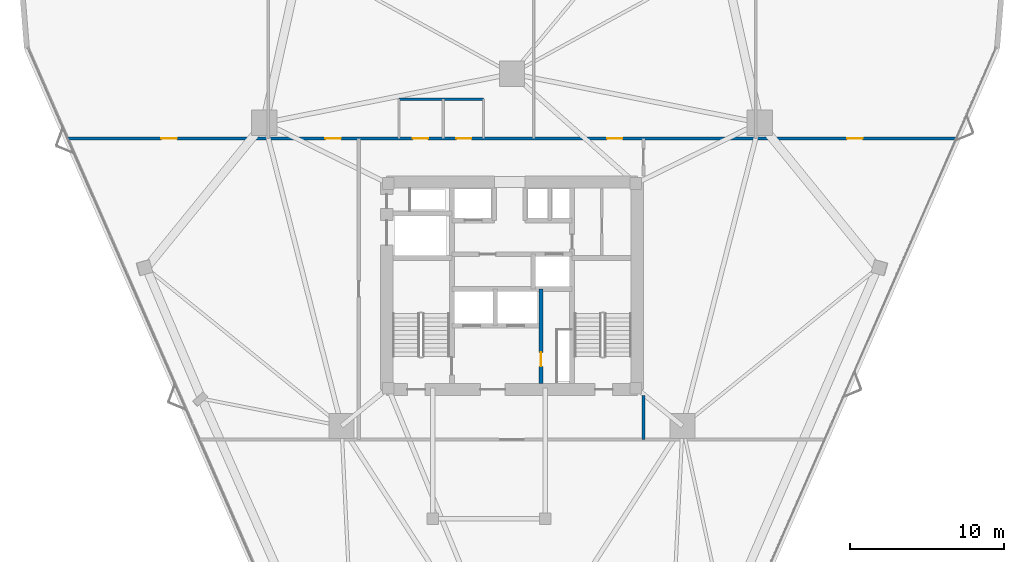
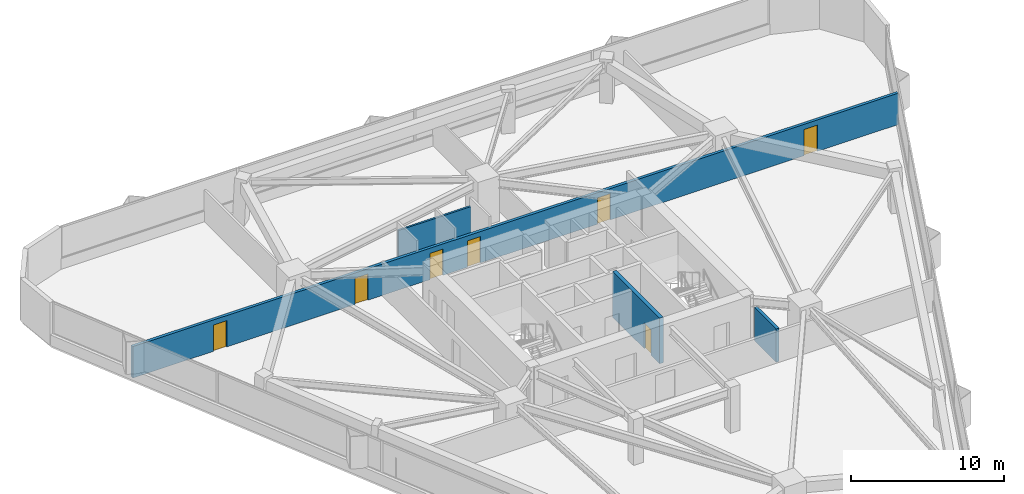
# One storey, part 16 of 19: 7 doors, 4 walls, 7 openings.
"""IFC4 building model written with IfcOpenShell, lengths in metres."""

from ifc_helpers import new_model, si_unit, direction, frame, frame_2d, origin, place, context, subcontext, project, spatial, rectangle, extrude, material, layer, layer_set, type_object, element, fill, save


model = new_model("IFC4")

# Units and contexts
model_context = context("Model", 3, precision=1e-05, world=origin(), true_north=direction((0.0, 1.0)))
body_context = subcontext(model_context, "Body", "Model", "MODEL_VIEW")
ifc_project = project(units=[si_unit("LENGTHUNIT", "METRE"), si_unit("AREAUNIT", "SQUARE_METRE"), si_unit("VOLUMEUNIT", "CUBIC_METRE"), si_unit("PLANEANGLEUNIT", "RADIAN"), si_unit("MASSUNIT", "GRAM", prefix="KILO")], contexts=[model_context])

# Site, building, storey
site_placement = place(None, origin())
site = spatial("IfcSite", under=ifc_project, at=site_placement, CompositionType="ELEMENT")
building_placement = place(site_placement, origin())
building = spatial("IfcBuilding", under=site, at=building_placement, Name="Talyreon Biosciences Tower", CompositionType="ELEMENT")
storey_placement = place(building_placement, frame((0.0, 0.0, 85.949951171875)))
storey = spatial("IfcBuildingStorey", under=building, at=storey_placement, Name="L22", CompositionType="ELEMENT", Elevation=85.949951171875)

# Wall, opening, door
ifc_material_1 = material(Name="Concrete C50/60", Category="concrete")
ifc_layer_1 = layer(ifc_material_1, 0.280029296875)
ifc_layer_set_1 = layer_set([ifc_layer_1], Name="Concrete C50/60")
wall_type_1 = type_object("IfcWallType", Name="CoreShearWall_280", PredefinedType="SHEAR", material=ifc_layer_set_1)
wall_1_placement = place(storey_placement, frame((67.8798828125, 61.64990234375, 0.0), z_axis=(0.0, 0.0, 1.0), x_axis=(0.0, 1.0, 0.0)))
wall_1 = element("IfcWall", 1, at=wall_1_placement, inside=storey, type_object=wall_type_1, Name="L22 Core Shaft Wall SWFFE", PredefinedType="SHEAR", context=body_context, shape_type="SweptSolid", body=[
    extrude(rectangle(XDim=6.150146484375, YDim=0.280029296875, at=frame_2d((3.0751953125, 0.0))), origin(), (0.0, 0.0, 1.0), 3.650146484375),
])
opening_1_placement = place(wall_1_placement, frame((1.10009765625, 0.0, 0.0)))
opening_1 = element("IfcOpeningElement", 2, at=opening_1_placement, cuts=wall_1, Name="Opening DR-L22-RSE", PredefinedType="OPENING", context=body_context, shape_type="SweptSolid", body=[
    extrude(rectangle(XDim=0.919921875, YDim=2.050048828125, at=frame_2d((0.4599609375, 1.02490234375))), frame((0.0, 0.14990234375, 0.0), z_axis=(0.0, -1.0, 0.0), x_axis=(1.0, 0.0, 0.0)), (0.0, 0.0, 1.0), 0.300048828125),
])
ifc_material_2 = material(Name="Painted steel fire-rated riser door", Category="steel")
door_type_1 = type_object("IfcDoorType", Name="RiserPlantAccessDoor_920x2050", OperationType="NOTDEFINED", PredefinedType="DOOR", material=ifc_material_2)
door_1_placement = place(opening_1_placement, origin())
door_1 = element("IfcDoor", 3, at=door_1_placement, inside=storey, type_object=door_type_1, Name="L22 Core Door DR-L22-RSE", OperationType="SINGLE_SWING_RIGHT", OverallHeight=2.050048828125, OverallWidth=0.919921875, PredefinedType="DOOR", context=body_context, shape_type="SweptSolid", body=[
    extrude(rectangle(XDim=0.919921875, YDim=2.050048828125, at=frame_2d((0.4599609375, 1.02490234375))), frame((0.0, 0.02490234375, 0.0), z_axis=(0.0, -1.0, 0.0), x_axis=(1.0, 0.0, 0.0)), (0.0, 0.0, 1.0), 0.050048828125),
])
fill(opening_1, door_1)

# Wall, openings, doors
ifc_material_3 = material(Name="Gypsum fireboard acoustic stud", Category="gypsum")
ifc_layer_2 = layer(ifc_material_3, 0.219970703125)
ifc_layer_set_2 = layer_set([ifc_layer_2], Name="Gypsum fireboard acoustic stud")
wall_type_2 = type_object("IfcWallType", Name="CorridorRatedPartition_220", PredefinedType="PARTITIONING", material=ifc_layer_set_2)
wall_2_placement = place(storey_placement, frame((37.105224609375, 77.580078125, 0.0), z_axis=(0.0, 0.0, 1.0), x_axis=(1.0, 0.0, 0.0)))
wall_2 = element("IfcWall", 4, at=wall_2_placement, inside=storey, type_object=wall_type_2, Name="L22 Interior Wall IW-L22-COR-N", PredefinedType="PARTITIONING", context=body_context, shape_type="SweptSolid", body=[
    extrude(rectangle(XDim=57.78955078125, YDim=0.219970703125, at=frame_2d((28.894775390625, 0.0))), origin(), (0.0, 0.0, 1.0), 2.505126953125),
])
opening_2_placement = place(wall_2_placement, frame((22.455078125, 0.0, 0.0)))
opening_2 = element("IfcOpeningElement", 5, at=opening_2_placement, cuts=wall_2, Name="Opening DR-L22-WC", PredefinedType="OPENING", context=body_context, shape_type="SweptSolid", body=[
    extrude(rectangle(XDim=0.97998046875, YDim=2.10009765625, at=frame_2d((0.489990234375, 1.050048828125))), frame((0.0, 0.119873046875, 0.0), z_axis=(0.0, -1.0, 0.0), x_axis=(1.0, 0.0, 0.0)), (0.0, 0.0, 1.0), 0.239990234375),
])
opening_3_placement = place(wall_2_placement, frame((25.280029296875, 0.0, 0.0)))
opening_3 = element("IfcOpeningElement", 6, at=opening_3_placement, cuts=wall_2, Name="Opening DR-L22-AWC", PredefinedType="OPENING", context=body_context, shape_type="SweptSolid", body=[
    extrude(rectangle(XDim=0.97998046875, YDim=2.10009765625, at=frame_2d((0.489990234375, 1.050048828125))), frame((0.0, 0.119873046875, 0.0), z_axis=(0.0, -1.0, 0.0), x_axis=(1.0, 0.0, 0.0)), (0.0, 0.0, 1.0), 0.239990234375),
])
opening_4_placement = place(wall_2_placement, frame((6.10205078125, 0.0, 0.0)))
opening_4 = element("IfcOpeningElement", 7, at=opening_4_placement, cuts=wall_2, Name="Opening DR-L22-N1A", PredefinedType="OPENING", context=body_context, shape_type="SweptSolid", body=[
    extrude(rectangle(XDim=1.0, YDim=2.10009765625, at=frame_2d((0.5, 1.050048828125))), frame((0.0, 0.119873046875, 0.0), z_axis=(0.0, -1.0, 0.0), x_axis=(1.0, 0.0, 0.0)), (0.0, 0.0, 1.0), 0.239990234375),
])
opening_5_placement = place(wall_2_placement, frame((16.759033203125, 0.0, 0.0)))
opening_5 = element("IfcOpeningElement", 8, at=opening_5_placement, cuts=wall_2, Name="Opening DR-L22-N2A", PredefinedType="OPENING", context=body_context, shape_type="SweptSolid", body=[
    extrude(rectangle(XDim=1.0, YDim=2.10009765625, at=frame_2d((0.5, 1.050048828125))), frame((0.0, 0.119873046875, 0.0), z_axis=(0.0, -1.0, 0.0), x_axis=(1.0, 0.0, 0.0)), (0.0, 0.0, 1.0), 0.239990234375),
])
opening_6_placement = place(wall_2_placement, frame((35.080078125, 0.0, 0.0)))
opening_6 = element("IfcOpeningElement", 9, at=opening_6_placement, cuts=wall_2, Name="Opening DR-L22-N3A", PredefinedType="OPENING", context=body_context, shape_type="SweptSolid", body=[
    extrude(rectangle(XDim=1.0, YDim=2.10009765625, at=frame_2d((0.5, 1.050048828125))), frame((0.0, 0.119873046875, 0.0), z_axis=(0.0, -1.0, 0.0), x_axis=(1.0, 0.0, 0.0)), (0.0, 0.0, 1.0), 0.239990234375),
])
opening_7_placement = place(wall_2_placement, frame((50.68798828125, 0.0, 0.0)))
opening_7 = element("IfcOpeningElement", 10, at=opening_7_placement, cuts=wall_2, Name="Opening DR-L22-N4A", PredefinedType="OPENING", context=body_context, shape_type="SweptSolid", body=[
    extrude(rectangle(XDim=1.0, YDim=2.10009765625, at=frame_2d((0.5, 1.050048828125))), frame((0.0, 0.119873046875, 0.0), z_axis=(0.0, -1.0, 0.0), x_axis=(1.0, 0.0, 0.0)), (0.0, 0.0, 1.0), 0.239990234375),
])
ifc_material_4 = material(Name="Laminate moisture-resistant door", Category="wood")
door_type_2 = type_object("IfcDoorType", Name="AccessibleToiletDoor_980x2100", OperationType="NOTDEFINED", PredefinedType="DOOR", material=ifc_material_4)
door_2_placement = place(opening_2_placement, origin())
door_2 = element("IfcDoor", 11, at=door_2_placement, inside=storey, type_object=door_type_2, Name="L22 Interior Door DR-L22-WC", OperationType="SINGLE_SWING_LEFT", OverallHeight=2.10009765625, OverallWidth=0.97998046875, PredefinedType="DOOR", context=body_context, shape_type="SweptSolid", body=[
    extrude(rectangle(XDim=0.97998046875, YDim=2.10009765625, at=frame_2d((0.489990234375, 1.050048828125))), frame((0.0, 0.02490234375, 0.0), z_axis=(0.0, -1.0, 0.0), x_axis=(1.0, 0.0, 0.0)), (0.0, 0.0, 1.0), 0.050048828125),
])
fill(opening_2, door_2)
door_3_placement = place(opening_3_placement, origin())
door_3 = element("IfcDoor", 12, at=door_3_placement, inside=storey, type_object=door_type_2, Name="L22 Interior Door DR-L22-AWC", OperationType="SINGLE_SWING_LEFT", OverallHeight=2.10009765625, OverallWidth=0.97998046875, PredefinedType="DOOR", context=body_context, shape_type="SweptSolid", body=[
    extrude(rectangle(XDim=0.97998046875, YDim=2.10009765625, at=frame_2d((0.489990234375, 1.050048828125))), frame((0.0, 0.02490234375, 0.0), z_axis=(0.0, -1.0, 0.0), x_axis=(1.0, 0.0, 0.0)), (0.0, 0.0, 1.0), 0.050048828125),
])
fill(opening_3, door_3)
ifc_material_5 = material(Name="Acoustic oak veneer office door", Category="wood")
door_type_3 = type_object("IfcDoorType", Name="WriteupOfficeDoor_1000x2100", OperationType="NOTDEFINED", PredefinedType="DOOR", material=ifc_material_5)
door_4_placement = place(opening_4_placement, origin())
door_4 = element("IfcDoor", 13, at=door_4_placement, inside=storey, type_object=door_type_3, Name="L22 Interior Door DR-L22-N1A", OperationType="SINGLE_SWING_LEFT", OverallHeight=2.10009765625, OverallWidth=1.0, PredefinedType="DOOR", context=body_context, shape_type="SweptSolid", body=[
    extrude(rectangle(XDim=1.0, YDim=2.10009765625, at=frame_2d((0.5, 1.050048828125))), frame((0.0, 0.02490234375, 0.0), z_axis=(0.0, -1.0, 0.0), x_axis=(1.0, 0.0, 0.0)), (0.0, 0.0, 1.0), 0.050048828125),
])
fill(opening_4, door_4)
door_5_placement = place(opening_5_placement, origin())
door_5 = element("IfcDoor", 14, at=door_5_placement, inside=storey, type_object=door_type_3, Name="L22 Interior Door DR-L22-N2A", OperationType="SINGLE_SWING_LEFT", OverallHeight=2.10009765625, OverallWidth=1.0, PredefinedType="DOOR", context=body_context, shape_type="SweptSolid", body=[
    extrude(rectangle(XDim=1.0, YDim=2.10009765625, at=frame_2d((0.5, 1.050048828125))), frame((0.0, 0.02490234375, 0.0), z_axis=(0.0, -1.0, 0.0), x_axis=(1.0, 0.0, 0.0)), (0.0, 0.0, 1.0), 0.050048828125),
])
fill(opening_5, door_5)
door_6_placement = place(opening_6_placement, origin())
door_6 = element("IfcDoor", 15, at=door_6_placement, inside=storey, type_object=door_type_3, Name="L22 Interior Door DR-L22-N3A", OperationType="SINGLE_SWING_LEFT", OverallHeight=2.10009765625, OverallWidth=1.0, PredefinedType="DOOR", context=body_context, shape_type="SweptSolid", body=[
    extrude(rectangle(XDim=1.0, YDim=2.10009765625, at=frame_2d((0.5, 1.050048828125))), frame((0.0, 0.02490234375, 0.0), z_axis=(0.0, -1.0, 0.0), x_axis=(1.0, 0.0, 0.0)), (0.0, 0.0, 1.0), 0.050048828125),
])
fill(opening_6, door_6)
door_7_placement = place(opening_7_placement, origin())
door_7 = element("IfcDoor", 16, at=door_7_placement, inside=storey, type_object=door_type_3, Name="L22 Interior Door DR-L22-N4A", OperationType="SINGLE_SWING_LEFT", OverallHeight=2.10009765625, OverallWidth=1.0, PredefinedType="DOOR", context=body_context, shape_type="SweptSolid", body=[
    extrude(rectangle(XDim=1.0, YDim=2.10009765625, at=frame_2d((0.5, 1.050048828125))), frame((0.0, 0.02490234375, 0.0), z_axis=(0.0, -1.0, 0.0), x_axis=(1.0, 0.0, 0.0)), (0.0, 0.0, 1.0), 0.050048828125),
])
fill(opening_7, door_7)

# Walls
wall_3_placement = place(storey_placement, frame((74.550048828125, 58.0, 0.0), z_axis=(0.0, 0.0, 1.0), x_axis=(0.0, 1.0, 0.0)))
element("IfcWall", 17, at=wall_3_placement, inside=storey, type_object=wall_type_2, Name="L22 Interior Wall IW-L22-ECAP-S", PredefinedType="PARTITIONING", context=body_context, shape_type="SweptSolid", body=[
    extrude(rectangle(XDim=2.85009765625, YDim=0.219970703125, at=frame_2d((1.425048828125, 0.0))), origin(), (0.0, 0.0, 1.0), 2.655029296875),
])
ifc_material_6 = material(Name="Moisture-resistant cement-board stud", Category="gypsum")
ifc_layer_3 = layer(ifc_material_6, 0.14501953125)
ifc_layer_set_3 = layer_set([ifc_layer_3], Name="Moisture-resistant cement-board stud")
wall_type_3 = type_object("IfcWallType", Name="WetRoomPartition_145", PredefinedType="PARTITIONING", material=ifc_layer_set_3)
wall_4_placement = place(storey_placement, frame((58.64990234375, 80.1298828125, 0.0), z_axis=(0.0, 0.0, 1.0), x_axis=(1.0, 0.0, 0.0)))
element("IfcWall", 18, at=wall_4_placement, inside=storey, type_object=wall_type_3, Name="L22 Interior Wall IW-L22-WCT", PredefinedType="PARTITIONING", context=body_context, shape_type="SweptSolid", body=[
    extrude(rectangle(XDim=5.5, YDim=0.14501953125, at=frame_2d((2.75, 0.0))), origin(), (0.0, 0.0, 1.0), 2.655029296875),
])

save(model, "model.ifc")
